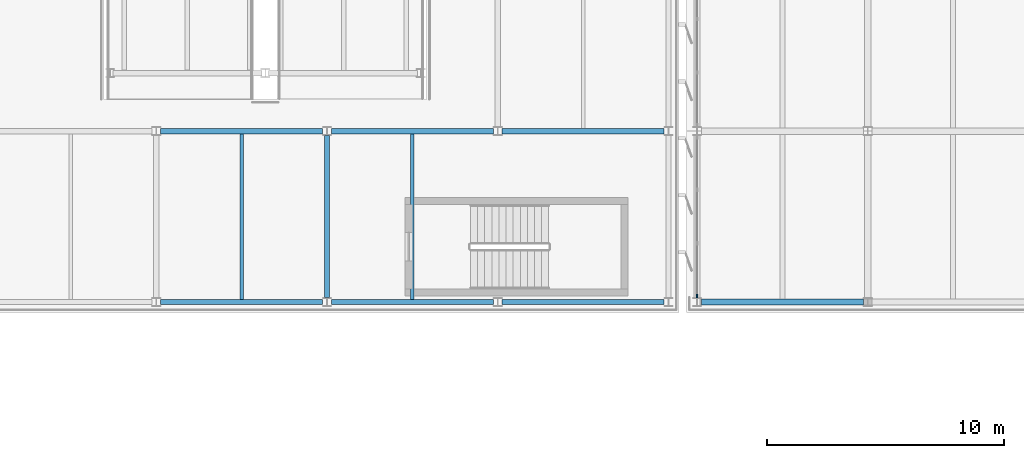
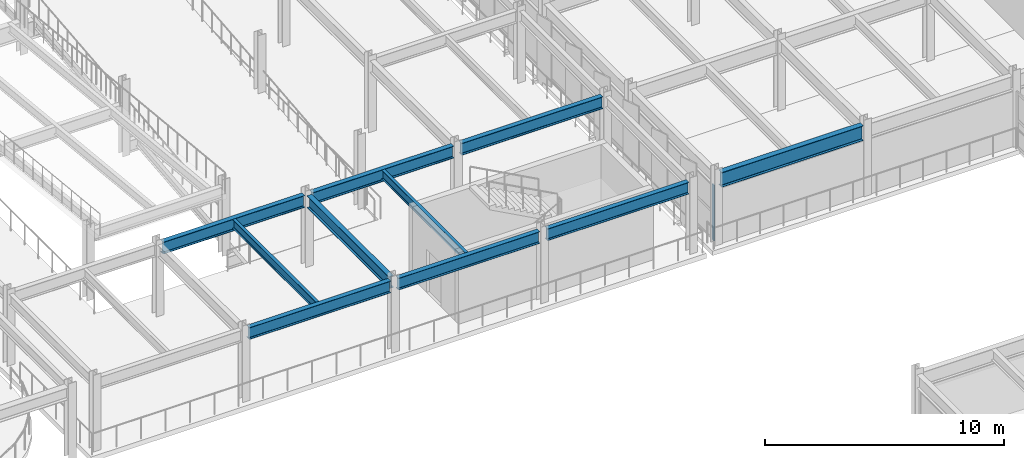
# One storey, part 29 of 80: 10 beams, 1 member, 1 element without a shape of its own.
"""IFC4 building model written with IfcOpenShell, lengths in metres."""

from ifc_helpers import new_model, si_unit, direction, frame, origin, origin_2d, place, context, subcontext, project, spatial, rectangle, i_section, extrude, material, material_profile, profile_set, type_object, element, aggregate, save


model = new_model("IFC4")

# Units and contexts
model_context = context("Model", 3, precision=1e-05, world=origin(), true_north=direction((0.0, 1.0)))
body_context = subcontext(model_context, "Body", "Model", "MODEL_VIEW")
ifc_project = project(units=[si_unit("LENGTHUNIT", "METRE"), si_unit("AREAUNIT", "SQUARE_METRE"), si_unit("VOLUMEUNIT", "CUBIC_METRE"), si_unit("PLANEANGLEUNIT", "RADIAN"), si_unit("MASSUNIT", "GRAM", prefix="KILO")], contexts=[model_context])

# Site, building, storey
site_placement = place(None, origin())
site = spatial("IfcSite", under=ifc_project, at=site_placement, CompositionType="ELEMENT")
building_placement = place(site_placement, origin())
building = spatial("IfcBuilding", under=site, at=building_placement, Name="Vaelcorin Mobility Hub", CompositionType="ELEMENT")
storey_placement = place(building_placement, frame((0.0, 0.0, 9.300048828125)))
storey = spatial("IfcBuildingStorey", under=building, at=storey_placement, Name="L02", CompositionType="ELEMENT", Elevation=9.300048828125)

# Beams
ifc_material_1 = material(Name="Steel ASTM A992 Grade 50", Category="steel")
ifc_material_profile_1 = material_profile(ifc_material_1, i_section(OverallWidth=0.152099609375, OverallDepth=0.455078125, WebThickness=0.008056640625, FlangeThickness=0.01318359375, FilletRadius=0.012939453125, at=origin_2d()), Name="W18X40")
ifc_profile_set_1 = profile_set([ifc_material_profile_1], Name="Steel ASTM A992 Grade 50")
beam_type_1 = type_object("IfcBeamType", Name="BM-W18X40", PredefinedType="JOIST", material=ifc_profile_set_1)
for number, where, z_axis, x_axis, name in (
    (1, (134.39990234375, 76.912109375, 3.421875), (0.0, 1.0, 0.0), (-1.0, 0.0, 0.0), "L02 Beam V2E-L02-J-02-01-1"),
    (2, (141.60009765625, 76.912109375, 3.421875), (0.0, 1.0, 0.0), (-1.0, 0.0, 0.0), "L02 Beam V2E-L02-J-03-01-1"),
):
    element("IfcBeam", number, at=place(storey_placement, frame(where, z_axis=z_axis, x_axis=x_axis)), inside=storey, type_object=beam_type_1, Name=name, PredefinedType="JOIST", context=body_context, shape_type="SweptSolid", body=[
        extrude(i_section(OverallWidth=0.152099609375, OverallDepth=0.455078125, WebThickness=0.008056640625, FlangeThickness=0.01318359375, FilletRadius=0.012939453125, at=origin_2d()), origin(), (0.0, 0.0, 1.0), 6.975830078125),
    ])
ifc_material_profile_2 = material_profile(ifc_material_1, i_section(OverallWidth=0.22802734375, OverallDepth=0.60205078125, WebThickness=0.010498046875, FlangeThickness=0.014892578125, FilletRadius=0.014892578125, at=origin_2d()), Name="W24X68")
ifc_profile_set_2 = profile_set([ifc_material_profile_2], Name="Steel ASTM A992 Grade 50")
beam_type_2 = type_object("IfcBeamType", Name="BM-W24X68", PredefinedType="SPANDREL", material=ifc_profile_set_2)
for number, where, z_axis, x_axis, name in (
    (3, (130.98388671875, 76.800048828125, 3.348876953125), (1.0, 0.0, 0.0), (0.0, 1.0, 0.0), "L02 Beam V2E-L02-GX-01-02"),
    (4, (138.18408203125, 76.800048828125, 3.348876953125), (1.0, 0.0, 0.0), (0.0, 1.0, 0.0), "L02 Beam V2E-L02-GX-01-03"),
    (5, (145.384033203125, 76.800048828125, 3.348876953125), (1.0, 0.0, 0.0), (0.0, 1.0, 0.0), "L02 Beam V2E-L02-GX-01-04"),
):
    element("IfcBeam", number, at=place(storey_placement, frame(where, z_axis=z_axis, x_axis=x_axis)), inside=storey, type_object=beam_type_2, Name=name, PredefinedType="SPANDREL", context=body_context, shape_type="SweptSolid", body=[
        extrude(i_section(OverallWidth=0.22802734375, OverallDepth=0.60205078125, WebThickness=0.010498046875, FlangeThickness=0.014892578125, FilletRadius=0.014892578125, at=origin_2d()), origin(), (0.0, 0.0, 1.0), 6.83203125),
    ])
ifc_material_profile_3 = material_profile(ifc_material_1, i_section(OverallWidth=0.22900390625, OverallDepth=0.612060546875, WebThickness=0.011962890625, FlangeThickness=0.01953125, FilletRadius=0.014892578125, at=origin_2d()), Name="W24X84")
ifc_profile_set_3 = profile_set([ifc_material_profile_3], Name="Steel ASTM A992 Grade 50")
beam_type_3 = type_object("IfcBeamType", Name="BM-W24X84", PredefinedType="BEAM", material=ifc_profile_set_3)
for number, where, z_axis, x_axis, name in (
    (6, (130.98388671875, 84.0, 3.343994140625), (1.0, 0.0, 0.0), (0.0, 1.0, 0.0), "L02 Beam V2E-L02-GX-02-02"),
    (7, (138.18408203125, 84.0, 3.343994140625), (1.0, 0.0, 0.0), (0.0, 1.0, 0.0), "L02 Beam V2E-L02-GX-02-03"),
    (8, (145.384033203125, 84.0, 3.343994140625), (1.0, 0.0, 0.0), (0.0, 1.0, 0.0), "L02 Beam V2E-L02-GX-02-04"),
):
    element("IfcBeam", number, at=place(storey_placement, frame(where, z_axis=z_axis, x_axis=x_axis)), inside=storey, type_object=beam_type_3, Name=name, PredefinedType="BEAM", context=body_context, shape_type="SweptSolid", body=[
        extrude(i_section(OverallWidth=0.22900390625, OverallDepth=0.612060546875, WebThickness=0.011962890625, FlangeThickness=0.01953125, FilletRadius=0.014892578125, at=origin_2d()), origin(), (0.0, 0.0, 1.0), 6.83203125),
    ])
beam_1_placement = place(storey_placement, frame((138.0, 76.97998046875, 3.343994140625), z_axis=(0.0, 1.0, 0.0), x_axis=(-1.0, 0.0, 0.0)))
element("IfcBeam", 9, at=beam_1_placement, inside=storey, type_object=beam_type_3, Name="L02 Beam V2E-L02-GY-03-01", PredefinedType="BEAM", context=body_context, shape_type="SweptSolid", body=[
    extrude(i_section(OverallWidth=0.22900390625, OverallDepth=0.612060546875, WebThickness=0.011962890625, FlangeThickness=0.01953125, FilletRadius=0.014892578125, at=origin_2d()), origin(), (0.0, 0.0, 1.0), 6.840087890625),
])
ifc_material_profile_4 = material_profile(ifc_material_1, i_section(OverallWidth=0.26708984375, OverallDepth=0.757080078125, WebThickness=0.013916015625, FlangeThickness=0.019287109375, FilletRadius=0.01708984375, at=origin_2d()), Name="W30X108")
ifc_profile_set_4 = profile_set([ifc_material_profile_4], Name="Steel ASTM A992 Grade 50")
beam_type_4 = type_object("IfcBeamType", Name="BM-W30X108", PredefinedType="BEAM", material=ifc_profile_set_4)
beam_2_placement = place(storey_placement, frame((153.781982421875, 76.800048828125, 3.221923828125), z_axis=(1.0, 0.0, 0.0), x_axis=(0.0, 1.0, 0.0)))
element("IfcBeam", 10, at=beam_2_placement, inside=storey, type_object=beam_type_4, Name="L02 Beam V5-L02-GX-09-01", PredefinedType="BEAM", context=body_context, shape_type="SweptSolid", body=[
    extrude(i_section(OverallWidth=0.26708984375, OverallDepth=0.757080078125, WebThickness=0.013916015625, FlangeThickness=0.019287109375, FilletRadius=0.01708984375, at=origin_2d()), origin(), (0.0, 0.0, 1.0), 6.8359375),
])

# Curtain wall, member
ifc_material_2 = material(Name="Anodised aluminium 6063-T6", Category="aluminium")
curtain_wall_type = type_object("IfcCurtainWallType", Name="CW-MOB-A", PredefinedType="NOTDEFINED", material=ifc_material_2)
curtain_wall_placement = place(storey_placement, origin())
curtain_wall = element("IfcCurtainWall", 11, at=curtain_wall_placement, inside=storey, type_object=curtain_wall_type, Name="L02 Curtain Wall CW-V5-L02-WN-01", PredefinedType="NOTDEFINED")
ifc_material_profile_5 = material_profile(ifc_material_2, rectangle(XDim=0.06005859375, YDim=0.159912109375, at=origin_2d()), Name="ALU-M60X160")
ifc_profile_set_5 = profile_set([ifc_material_profile_5], Name="Anodised aluminium 6063-T6")
member_type = type_object("IfcMemberType", Name="CW-MULL-160", PredefinedType="MULLION", material=ifc_profile_set_5)
member_placement = place(storey_placement, frame((153.60009765625, 77.050048828125, 0.0), z_axis=(0.0, 0.0, 1.0), x_axis=(-1.0, 0.0, 0.0)))
member = element("IfcMember", 12, at=member_placement, type_object=member_type, Name="CW7 mullion 1", PredefinedType="MULLION", context=body_context, shape_type="SweptSolid", body=[
    extrude(rectangle(XDim=0.06005859375, YDim=0.159912109375, at=origin_2d()), origin(), (0.0, 0.0, 1.0), 2.827880859375),
])
aggregate(curtain_wall, [member])

save(model, "model.ifc")
